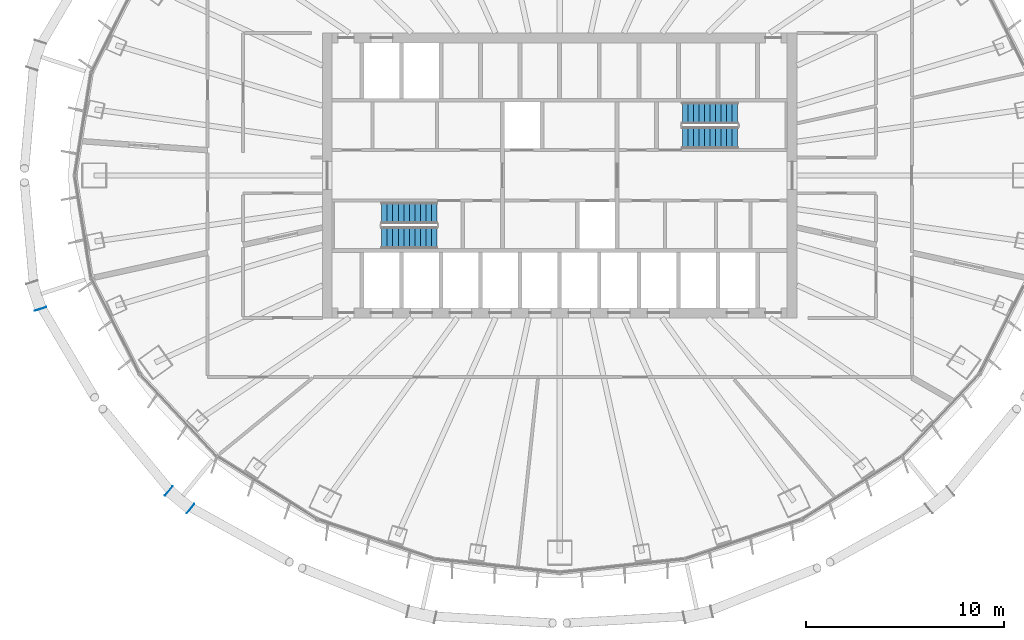
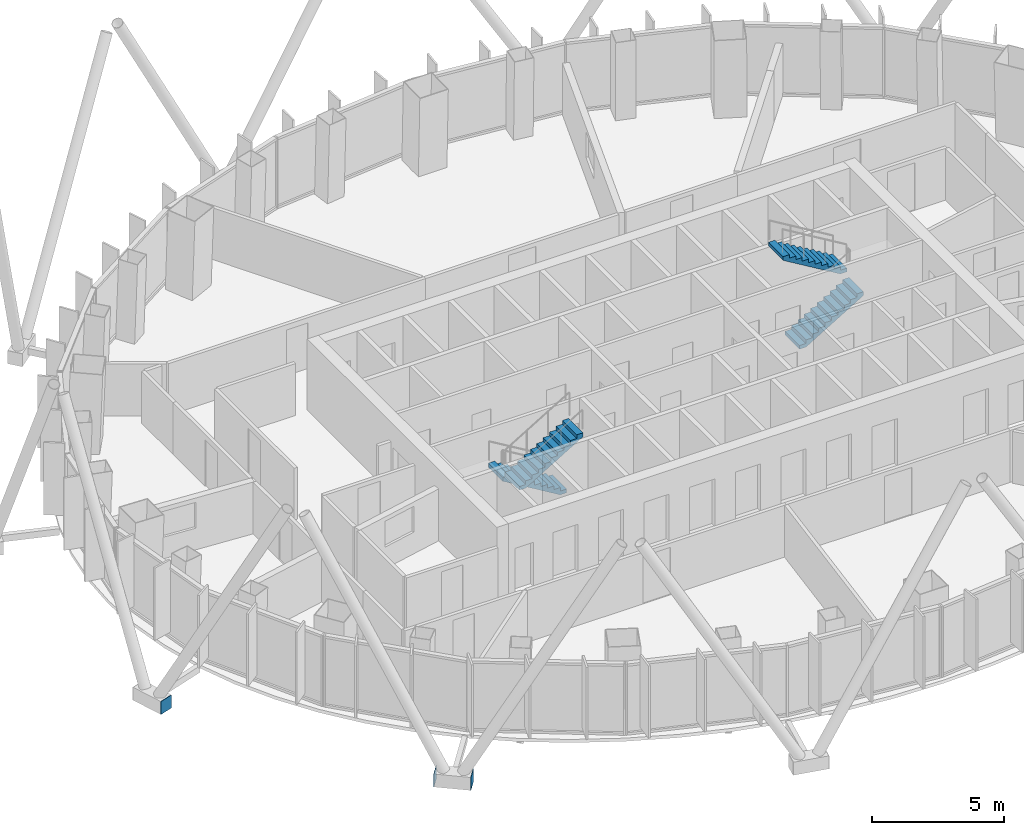
# One storey, part 11 of 18: 4 stair flights, 3 discrete accessories, 2 elements without a shape of their own.
"""IFC4 building model written with IfcOpenShell, lengths in metres."""

from ifc_helpers import new_model, si_unit, direction, frame, origin, origin_2d, place, context, subcontext, project, spatial, polyline, rectangle, outline, extrude, material, layer, layer_set, type_object, element, aggregate, save


model = new_model("IFC4")

# Units and contexts
model_context = context("Model", 3, precision=1e-05, world=origin(), true_north=direction((0.0, 1.0)))
body_context = subcontext(model_context, "Body", "Model", "MODEL_VIEW")
ifc_project = project(units=[si_unit("LENGTHUNIT", "METRE"), si_unit("AREAUNIT", "SQUARE_METRE"), si_unit("VOLUMEUNIT", "CUBIC_METRE"), si_unit("PLANEANGLEUNIT", "RADIAN"), si_unit("MASSUNIT", "GRAM", prefix="KILO")], contexts=[model_context])

# Site, building, storey
site_placement = place(None, origin())
site = spatial("IfcSite", under=ifc_project, at=site_placement, CompositionType="ELEMENT")
building_placement = place(site_placement, origin())
building = spatial("IfcBuilding", under=site, at=building_placement, Name="Siaravel Broadcast Tower", CompositionType="ELEMENT")
storey_placement = place(building_placement, frame((0.0, 0.0, 141.5)))
storey = spatial("IfcBuildingStorey", under=building, at=storey_placement, Name="L34", CompositionType="ELEMENT", Elevation=141.5)

# Stair, stair flights
ifc_material_1 = material(Name="Concrete C40/50", Category="concrete")
stair_type = type_object("IfcStairType", Name="Core exit stair", PredefinedType="HALF_TURN_STAIR", material=ifc_material_1)
stair_1_placement = place(storey_placement, origin())
stair_1 = element("IfcStair", 1, at=stair_1_placement, inside=storey, type_object=stair_type, Name="L34 Exit stair ST-1", PredefinedType="HALF_TURN_STAIR")
stair_flight_type = type_object("IfcStairFlightType", Name="Stair flight 1100", PredefinedType="STRAIGHT", material=ifc_material_1)
stair_flight_1_placement = place(storey_placement, frame((-6.199951171875, -1.89990234375, 0.0), z_axis=(0.0, 0.0, 1.0), x_axis=(-1.0, 0.0, 0.0)))
stair_flight_1 = element("IfcStairFlight", 2, at=stair_flight_1_placement, type_object=stair_flight_type, Name="ST-1 flight 1", NumberOfRisers=11, NumberOfTreads=10, PredefinedType="STRAIGHT", RiserHeight=0.1681818, TreadLength=0.28, context=body_context, shape_type="SweptSolid", body=[
    extrude(outline(polyline([(0.0, 0.0), (0.0, 0.168212890625), (0.280029296875, 0.168212890625), (0.280029296875, 0.33642578125), (0.56005859375, 0.33642578125), (0.56005859375, 0.504638671875), (0.840087890625, 0.504638671875), (0.840087890625, 0.672607421875), (1.1201171875, 0.672607421875), (1.1201171875, 0.8408203125), (1.39990234375, 0.8408203125), (1.39990234375, 1.009033203125), (1.679931640625, 1.009033203125), (1.679931640625, 1.17724609375), (1.9599609375, 1.17724609375), (1.9599609375, 1.345458984375), (2.239990234375, 1.345458984375), (2.239990234375, 1.513671875), (2.52001953125, 1.513671875), (2.52001953125, 1.681884765625), (2.800048828125, 1.681884765625), (2.800048828125, 1.85009765625), (2.800048828125, 1.5068359375), (0.291015625, 0.0), (0.0, 0.0)])), frame((0.0, 0.550048828125, 0.0), z_axis=(0.0, -1.0, 0.0), x_axis=(1.0, 0.0, 0.0)), (0.0, 0.0, 1.0), 1.10009765625),
])
stair_flight_2_placement = place(storey_placement, frame((-9.0, -3.14990234375, 1.85009765625), z_axis=(0.0, 0.0, 1.0), x_axis=(1.0, 0.0, 0.0)))
stair_flight_2 = element("IfcStairFlight", 3, at=stair_flight_2_placement, type_object=stair_flight_type, Name="ST-1 flight 2", NumberOfRisers=11, NumberOfTreads=10, PredefinedType="STRAIGHT", RiserHeight=0.1681818, TreadLength=0.28, context=body_context, shape_type="SweptSolid", body=[
    extrude(outline(polyline([(0.0, 0.0), (0.0, 0.168212890625), (0.280029296875, 0.168212890625), (0.280029296875, 0.33642578125), (0.56005859375, 0.33642578125), (0.56005859375, 0.504638671875), (0.840087890625, 0.504638671875), (0.840087890625, 0.672607421875), (1.1201171875, 0.672607421875), (1.1201171875, 0.8408203125), (1.39990234375, 0.8408203125), (1.39990234375, 1.009033203125), (1.679931640625, 1.009033203125), (1.679931640625, 1.17724609375), (1.9599609375, 1.17724609375), (1.9599609375, 1.345458984375), (2.239990234375, 1.345458984375), (2.239990234375, 1.513671875), (2.52001953125, 1.513671875), (2.52001953125, 1.681884765625), (2.800048828125, 1.681884765625), (2.800048828125, 1.85009765625), (2.800048828125, 1.5068359375), (0.291015625, 0.0), (0.0, 0.0)])), frame((0.0, 0.550048828125, 0.0), z_axis=(0.0, -1.0, 0.0), x_axis=(1.0, 0.0, 0.0)), (0.0, 0.0, 1.0), 1.10009765625),
])
aggregate(stair_1, [stair_flight_1, stair_flight_2])

stair_2_placement = place(storey_placement, origin())
stair_2 = element("IfcStair", 4, at=stair_2_placement, inside=storey, type_object=stair_type, Name="L34 Exit stair ST-2", PredefinedType="HALF_TURN_STAIR")
stair_flight_3_placement = place(storey_placement, frame((6.199951171875, 1.89990234375, 0.0), z_axis=(0.0, 0.0, 1.0), x_axis=(1.0, 0.0, 0.0)))
stair_flight_3 = element("IfcStairFlight", 5, at=stair_flight_3_placement, type_object=stair_flight_type, Name="ST-2 flight 1", NumberOfRisers=11, NumberOfTreads=10, PredefinedType="STRAIGHT", RiserHeight=0.1681818, TreadLength=0.28, context=body_context, shape_type="SweptSolid", body=[
    extrude(outline(polyline([(0.0, 0.0), (0.0, 0.168212890625), (0.280029296875, 0.168212890625), (0.280029296875, 0.33642578125), (0.56005859375, 0.33642578125), (0.56005859375, 0.504638671875), (0.840087890625, 0.504638671875), (0.840087890625, 0.672607421875), (1.1201171875, 0.672607421875), (1.1201171875, 0.8408203125), (1.39990234375, 0.8408203125), (1.39990234375, 1.009033203125), (1.679931640625, 1.009033203125), (1.679931640625, 1.17724609375), (1.9599609375, 1.17724609375), (1.9599609375, 1.345458984375), (2.239990234375, 1.345458984375), (2.239990234375, 1.513671875), (2.52001953125, 1.513671875), (2.52001953125, 1.681884765625), (2.800048828125, 1.681884765625), (2.800048828125, 1.85009765625), (2.800048828125, 1.5068359375), (0.291015625, 0.0), (0.0, 0.0)])), frame((0.0, 0.550048828125, 0.0), z_axis=(0.0, -1.0, 0.0), x_axis=(1.0, 0.0, 0.0)), (0.0, 0.0, 1.0), 1.10009765625),
])
stair_flight_4_placement = place(storey_placement, frame((9.0, 3.14990234375, 1.85009765625), z_axis=(0.0, 0.0, 1.0), x_axis=(-1.0, 0.0, 0.0)))
stair_flight_4 = element("IfcStairFlight", 6, at=stair_flight_4_placement, type_object=stair_flight_type, Name="ST-2 flight 2", NumberOfRisers=11, NumberOfTreads=10, PredefinedType="STRAIGHT", RiserHeight=0.1681818, TreadLength=0.28, context=body_context, shape_type="SweptSolid", body=[
    extrude(outline(polyline([(0.0, 0.0), (0.0, 0.168212890625), (0.280029296875, 0.168212890625), (0.280029296875, 0.33642578125), (0.56005859375, 0.33642578125), (0.56005859375, 0.504638671875), (0.840087890625, 0.504638671875), (0.840087890625, 0.672607421875), (1.1201171875, 0.672607421875), (1.1201171875, 0.8408203125), (1.39990234375, 0.8408203125), (1.39990234375, 1.009033203125), (1.679931640625, 1.009033203125), (1.679931640625, 1.17724609375), (1.9599609375, 1.17724609375), (1.9599609375, 1.345458984375), (2.239990234375, 1.345458984375), (2.239990234375, 1.513671875), (2.52001953125, 1.513671875), (2.52001953125, 1.681884765625), (2.800048828125, 1.681884765625), (2.800048828125, 1.85009765625), (2.800048828125, 1.5068359375), (0.291015625, 0.0), (0.0, 0.0)])), frame((0.0, 0.550048828125, 0.0), z_axis=(0.0, -1.0, 0.0), x_axis=(1.0, 0.0, 0.0)), (0.0, 0.0, 1.0), 1.10009765625),
])
aggregate(stair_2, [stair_flight_3, stair_flight_4])

# Discrete accessories
ifc_material_2 = material(Name="Steel S355", Category="steel")
ifc_layer = layer(ifc_material_2, 0.02001953125)
ifc_layer_set = layer_set([ifc_layer], Name="Steel S355")
discrete_accessory_type = type_object("IfcDiscreteAccessoryType", Name="Steel end plate 20 mm", PredefinedType="USERDEFINED", material=ifc_layer_set)
for number, where, z_axis, x_axis, name in (
    (7, (-26.240966796875, -6.74853515625, -0.5), (0.0, 0.0, 1.0), (0.310908675, -0.950439791, 0.0), "End plate R14 station 39A"),
    (8, (-18.660888671875, -16.8466796875, -0.5), (0.0, 0.0, 1.0), (0.773602482, -0.633671208, 0.0), "End plate R14 station 45A"),
    (9, (-19.759033203125, -15.947265625, -0.5), (0.0, 0.0, 1.0), (0.773602482, -0.633671208, 0.0), "End plate R14 station 45B"),
):
    element("IfcDiscreteAccessory", number, at=place(storey_placement, frame(where, z_axis=z_axis, x_axis=x_axis)), inside=storey, type_object=discrete_accessory_type, Name=name, ObjectType="END PLATE", PredefinedType="USERDEFINED", context=body_context, shape_type="SweptSolid", body=[
        extrude(rectangle(XDim=0.02001953125, YDim=0.60009765625, at=origin_2d()), origin(), (0.0, 0.0, 1.0), 0.60009765625),
    ])

save(model, "model.ifc")
